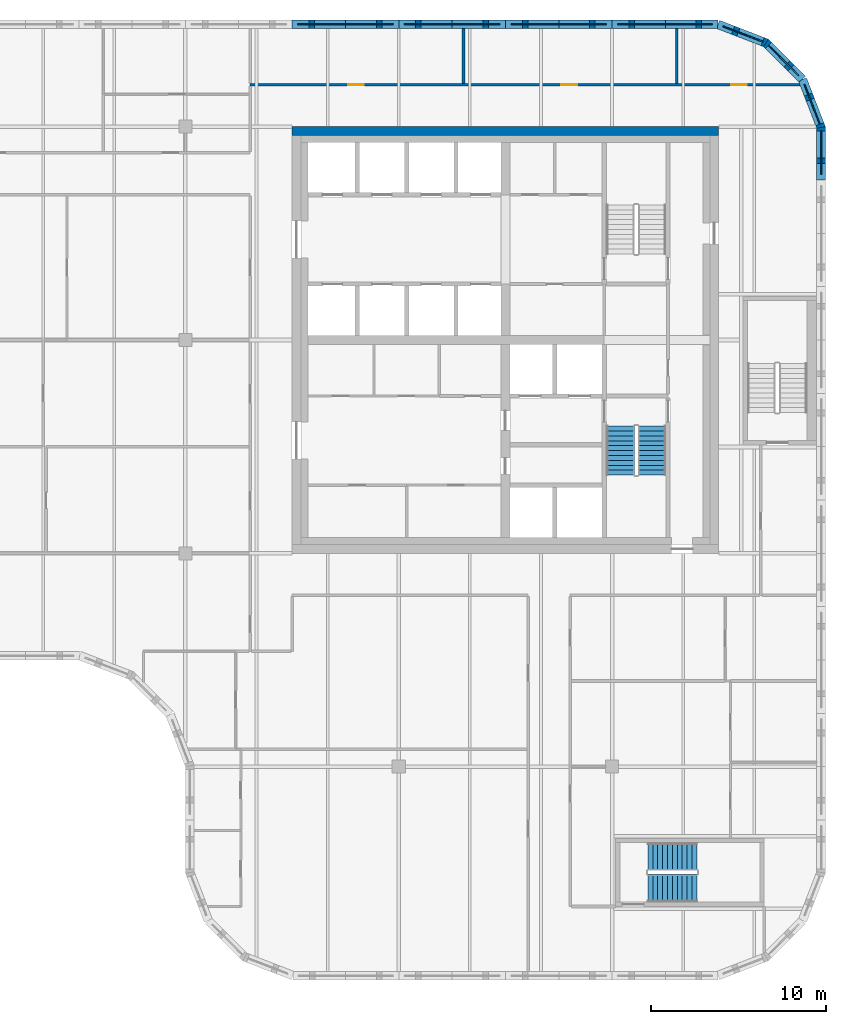
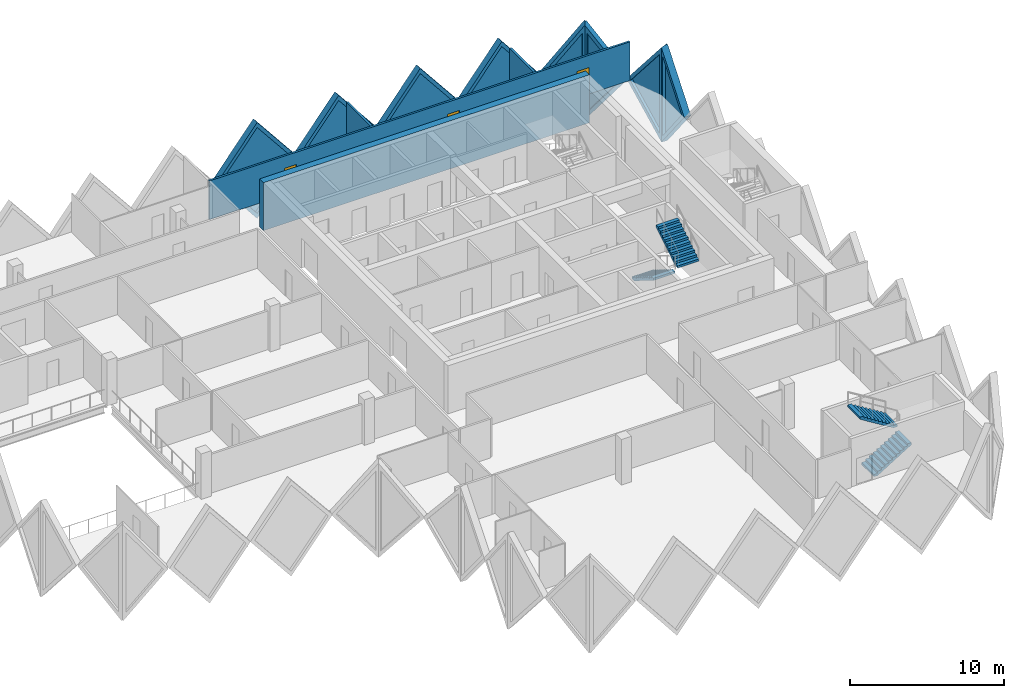
# One storey, part 10 of 12: 12 walls, 8 plates, 4 stair flights, 3 doors, 11 openings, 2 elements without a shape of their own.
"""IFC4 building model written with IfcOpenShell, lengths in metres."""

from ifc_helpers import new_model, si_unit, direction, frame, frame_2d, origin, place, context, subcontext, project, spatial, polyline, rectangle, outline, extrude, faceted_brep, source, transform, mapped, material, layer, layer_set, type_object, element, fill, aggregate, save


model = new_model("IFC4")

# Units and contexts
model_context = context("Model", 3, precision=1e-05, world=origin(), true_north=direction((0.0, 1.0)))
body_context = subcontext(model_context, "Body", "Model", "MODEL_VIEW")
ifc_project = project(units=[si_unit("LENGTHUNIT", "METRE"), si_unit("AREAUNIT", "SQUARE_METRE"), si_unit("VOLUMEUNIT", "CUBIC_METRE"), si_unit("PLANEANGLEUNIT", "RADIAN"), si_unit("MASSUNIT", "GRAM", prefix="KILO")], contexts=[model_context])

# Site, building, storey
site_placement = place(None, origin())
site = spatial("IfcSite", under=ifc_project, at=site_placement, CompositionType="ELEMENT")
building_placement = place(site_placement, origin())
building = spatial("IfcBuilding", under=site, at=building_placement, Name="Tessera Gate Towers", CompositionType="ELEMENT")
storey_placement = place(building_placement, frame((0.0, 0.0, 216.89990234375)))
storey = spatial("IfcBuildingStorey", under=building, at=storey_placement, Name="L54", CompositionType="ELEMENT", Elevation=216.89990234375)

# Wall
ifc_material_1 = material(Name="Concrete C50/60", Category="concrete")
ifc_layer_1 = layer(ifc_material_1, 0.5)
ifc_layer_set_1 = layer_set([ifc_layer_1], Name="CORE SHEAR WALL 500 C50/60")
wall_type_1 = type_object("IfcWallType", Name="CORE SHEAR WALL 500 C50/60", PredefinedType="SHEAR", material=ifc_layer_set_1)
wall_1_placement = place(storey_placement, frame((30.5, 48.550048828125, 0.0), z_axis=(0.0, 0.0, 1.0), x_axis=(1.0, 0.0, 0.0)))
element("IfcWall", 1, at=wall_1_placement, inside=storey, type_object=wall_type_1, Name="Core wall N L54", PredefinedType="SHEAR", context=body_context, shape_type="SweptSolid", body=[
    extrude(rectangle(XDim=24.39990234375, YDim=0.5, at=frame_2d((12.199951171875, 0.0))), origin(), (0.0, 0.0, 1.0), 3.800048828125),
])

# Wall, openings, doors
ifc_material_2 = material(Name="Gypsum board on steel studs, mineral wool", Category="steel")
ifc_layer_2 = layer(ifc_material_2, 0.14990234375)
ifc_layer_set_2 = layer_set([ifc_layer_2], Name="CORRIDOR WALL 150")
wall_type_2 = type_object("IfcWallType", Name="CORRIDOR WALL 150", PredefinedType="PARTITIONING", material=ifc_layer_set_2)
wall_2_placement = place(storey_placement, frame((28.10009765625, 51.199951171875, 0.0), z_axis=(0.0, 0.0, 1.0), x_axis=(1.0, 0.0, 0.0)))
wall_2 = element("IfcWall", 2, at=wall_2_placement, inside=storey, type_object=wall_type_2, Name="T1-L54-PW-053", PredefinedType="PARTITIONING", context=body_context, shape_type="SweptSolid", body=[
    extrude(rectangle(XDim=31.438232421875, YDim=0.14990234375, at=frame_2d((15.71923828125, 0.0))), origin(), (0.0, 0.0, 1.0), 3.067138671875),
])
shared_shape_1 = source(origin(), body_context, "Body", "SweptSolid", [
    extrude(rectangle(XDim=0.89990234375, YDim=2.10009765625, at=frame_2d((0.449951171875, 1.050048828125))), frame((0.0, 0.0849609375, 0.0), z_axis=(0.0, -1.0, 0.0), x_axis=(1.0, 0.0, 0.0)), (0.0, 0.0, 1.0), 0.169921875),
])
opening_1_placement = place(wall_2_placement, frame((27.5009765625, 0.0, 0.0)))
opening_1 = element("IfcOpeningElement", 3, at=opening_1_placement, cuts=wall_2, Name="Opening D890FD60-A19-03", PredefinedType="OPENING", context=body_context, shape_type="MappedRepresentation", body=[
    mapped(shared_shape_1, transform((0.0, 0.0, 0.0), scale=1.0)),
])
opening_2_placement = place(wall_2_placement, frame((5.60009765625, 0.0, 0.0)))
opening_2 = element("IfcOpeningElement", 4, at=opening_2_placement, cuts=wall_2, Name="Opening D890FD60-A19-09", PredefinedType="OPENING", context=body_context, shape_type="MappedRepresentation", body=[
    mapped(shared_shape_1, transform((0.0, 0.0, 0.0), scale=1.0)),
])
opening_3_placement = place(wall_2_placement, frame((17.800048828125, 0.0, 0.0)))
opening_3 = element("IfcOpeningElement", 5, at=opening_3_placement, cuts=wall_2, Name="Opening D890FD60-A19-10", PredefinedType="OPENING", context=body_context, shape_type="MappedRepresentation", body=[
    mapped(shared_shape_1, transform((0.0, 0.0, 0.0), scale=1.0)),
])
ifc_material_3 = material(Name="Timber door leaf in steel frame", Category="steel")
door_type = type_object("IfcDoorType", Name="CORRIDOR DOOR 900 FD60", OperationType="NOTDEFINED", PredefinedType="DOOR", material=ifc_material_3)
shared_shape_2 = source(origin(), body_context, "Body", "SweptSolid", [
    extrude(rectangle(XDim=0.89990234375, YDim=2.10009765625, at=frame_2d((0.449951171875, 1.050048828125))), frame((0.0, 0.02490234375, 0.0), z_axis=(0.0, -1.0, 0.0), x_axis=(1.0, 0.0, 0.0)), (0.0, 0.0, 1.0), 0.050048828125),
])
door_1_placement = place(opening_1_placement, origin())
door_1 = element("IfcDoor", 6, at=door_1_placement, inside=storey, type_object=door_type, Name="T1-L54-PD-016", OperationType="SINGLE_SWING_LEFT", OverallHeight=2.10009765625, OverallWidth=0.89990234375, PredefinedType="DOOR", context=body_context, shape_type="MappedRepresentation", body=[
    mapped(shared_shape_2, transform((0.0, 0.0, 0.0), scale=1.0)),
])
fill(opening_1, door_1)
door_2_placement = place(opening_2_placement, origin())
door_2 = element("IfcDoor", 7, at=door_2_placement, inside=storey, type_object=door_type, Name="T1-L54-PD-024", OperationType="SINGLE_SWING_LEFT", OverallHeight=2.10009765625, OverallWidth=0.89990234375, PredefinedType="DOOR", context=body_context, shape_type="MappedRepresentation", body=[
    mapped(shared_shape_2, transform((0.0, 0.0, 0.0), scale=1.0)),
])
fill(opening_2, door_2)
door_3_placement = place(opening_3_placement, origin())
door_3 = element("IfcDoor", 8, at=door_3_placement, inside=storey, type_object=door_type, Name="T1-L54-PD-026", OperationType="SINGLE_SWING_LEFT", OverallHeight=2.10009765625, OverallWidth=0.89990234375, PredefinedType="DOOR", context=body_context, shape_type="MappedRepresentation", body=[
    mapped(shared_shape_2, transform((0.0, 0.0, 0.0), scale=1.0)),
])
fill(opening_3, door_3)

# Walls
ifc_material_4 = material(Name="Gypsum board on steel studs, mineral wool", Category="steel")
ifc_layer_3 = layer(ifc_material_4, 0.14990234375)
ifc_layer_set_3 = layer_set([ifc_layer_3], Name="TENANCY WALL 150")
wall_type_3 = type_object("IfcWallType", Name="TENANCY WALL 150", PredefinedType="PARTITIONING", material=ifc_layer_set_3)
for number, where, z_axis, x_axis, name in (
    (9, (40.300048828125, 51.27587890625, 0.0), (0.0, 0.0, 1.0), (0.0, 1.0, 0.0), "T1-L54-PW-055"),
    (10, (52.5, 51.27587890625, 0.0), (0.0, 0.0, 1.0), (0.0, 1.0, 0.0), "T1-L54-PW-056"),
):
    element("IfcWall", number, at=place(storey_placement, frame(where, z_axis=z_axis, x_axis=x_axis)), inside=storey, type_object=wall_type_3, Name=name, PredefinedType="PARTITIONING", context=body_context, shape_type="SweptSolid", body=[
        extrude(rectangle(XDim=3.1240234375, YDim=0.14990234375, at=frame_2d((1.56201171875, 0.0))), origin(), (0.0, 0.0, 1.0), 3.067138671875),
    ])

# Wall, opening, plate
ifc_material_5 = material(Name="Precast concrete C60/75 white", Category="concrete")
ifc_layer_4 = layer(ifc_material_5, 0.5)
ifc_layer_set_4 = layer_set([ifc_layer_4], Name="TS1 tessera")
wall_type_4 = type_object("IfcWallType", Name="TS1 tessera", PredefinedType="SOLIDWALL", material=ifc_layer_set_4)
shared_shape_3 = source(origin(), body_context, "Body", "Brep", [
    faceted_brep([(3.050048828125, -0.25, 0.0), (6.099853515625, -0.25, 3.799560546875), (6.099853515625, -0.25, 3.800048828125), (3.050048828125, -0.25, 7.599853515625), (0.0, -0.25, 3.7998046875), (0.0, 0.25, 3.7998046875), (3.050048828125, 0.25, 7.599853515625), (6.099853515625, 0.25, 3.800048828125), (6.099853515625, 0.25, 3.799560546875), (3.050048828125, 0.25, 0.0)], [[[0, 1, 2, 3, 4]], [[5, 6, 7, 8, 9]], [[9, 8, 1, 0]], [[7, 6, 3, 2]], [[6, 5, 4, 3]], [[5, 9, 0, 4]], [[1, 8, 7, 2]]]),
])
wall_3_placement = place(storey_placement, frame((42.699951171875, 54.64990234375, -3.7998046875), z_axis=(0.0, 0.0, 1.0), x_axis=(-1.0, 0.0, 0.0)))
wall_3 = element("IfcWall", 11, at=wall_3_placement, inside=storey, type_object=wall_type_4, Name="Precast tessera T1 TS1-0955", PredefinedType="SOLIDWALL", context=body_context, shape_type="MappedRepresentation", body=[
    mapped(shared_shape_3, transform((0.0, 0.0, 0.0), scale=1.0)),
])
shared_shape_4 = source(origin(), body_context, "Body", "SweptSolid", [
    extrude(outline(polyline([(3.050048828125, 0.3994140625), (5.779541015625, 3.7998046875), (3.050048828125, 7.200439453125), (0.320556640625, 3.7998046875), (3.050048828125, 0.3994140625)])), frame((0.0, 0.260009765625, 0.0), z_axis=(0.0, -1.0, 0.0), x_axis=(1.0, 0.0, 0.0)), (0.0, 0.0, 1.0), 0.52001953125),
])
opening_4_placement = place(wall_3_placement, origin())
opening_4 = element("IfcOpeningElement", 12, at=opening_4_placement, cuts=wall_3, Name="Opening T1-PL2-1947", PredefinedType="OPENING", context=body_context, shape_type="MappedRepresentation", body=[
    mapped(shared_shape_4, transform((0.0, 0.0, 0.0), scale=1.0)),
])
ifc_material_6 = material(Name="Low-e laminated glass", Category="glass")
ifc_layer_5 = layer(ifc_material_6, 0.06005859375)
ifc_layer_set_5 = layer_set([ifc_layer_5], Name="PL2 rhombic pane")
plate_type = type_object("IfcPlateType", Name="PL2 rhombic pane", PredefinedType="SHEET", material=ifc_layer_set_5)
shared_shape_5 = source(origin(), body_context, "Body", "SweptSolid", [
    extrude(outline(polyline([(3.050048828125, 0.3994140625), (5.779541015625, 3.7998046875), (3.050048828125, 7.200439453125), (0.320556640625, 3.7998046875), (3.050048828125, 0.3994140625)])), frame((0.0, 0.030029296875, 0.0), z_axis=(0.0, -1.0, 0.0), x_axis=(1.0, 0.0, 0.0)), (0.0, 0.0, 1.0), 0.06005859375),
])
plate_1_placement = place(opening_4_placement, origin())
plate_1 = element("IfcPlate", 13, at=plate_1_placement, inside=storey, type_object=plate_type, Name="Glass pane T1 PL2-1947", PredefinedType="SHEET", context=body_context, shape_type="MappedRepresentation", body=[
    mapped(shared_shape_5, transform((0.0, 0.0, 0.0), scale=1.0)),
])
fill(opening_4, plate_1)

shared_shape_6 = source(origin(), body_context, "Body", "SweptSolid", [
    extrude(outline(polyline([(3.050048828125, 0.0), (6.10009765625, 3.7998046875), (3.050048828125, 7.599853515625), (0.0, 3.7998046875), (3.050048828125, 0.0)])), frame((0.0, 0.25, 0.0), z_axis=(0.0, -1.0, 0.0), x_axis=(1.0, 0.0, 0.0)), (0.0, 0.0, 1.0), 0.5),
])
wall_4_placement = place(storey_placement, frame((48.800048828125, 54.64990234375, -3.7998046875), z_axis=(0.0, 0.0, 1.0), x_axis=(-1.0, 0.0, 0.0)))
wall_4 = element("IfcWall", 14, at=wall_4_placement, inside=storey, type_object=wall_type_4, Name="Precast tessera T1 TS1-0954", PredefinedType="SOLIDWALL", context=body_context, shape_type="MappedRepresentation", body=[
    mapped(shared_shape_6, transform((0.0, 0.0, 0.0), scale=1.0)),
])
opening_5_placement = place(wall_4_placement, origin())
opening_5 = element("IfcOpeningElement", 15, at=opening_5_placement, cuts=wall_4, Name="Opening T1-PL2-1946", PredefinedType="OPENING", context=body_context, shape_type="MappedRepresentation", body=[
    mapped(shared_shape_4, transform((0.0, 0.0, 0.0), scale=1.0)),
])
plate_2_placement = place(opening_5_placement, origin())
plate_2 = element("IfcPlate", 16, at=plate_2_placement, inside=storey, type_object=plate_type, Name="Glass pane T1 PL2-1946", PredefinedType="SHEET", context=body_context, shape_type="MappedRepresentation", body=[
    mapped(shared_shape_5, transform((0.0, 0.0, 0.0), scale=1.0)),
])
fill(opening_5, plate_2)

wall_5_placement = place(storey_placement, frame((36.60009765625, 54.64990234375, -3.7998046875), z_axis=(0.0, 0.0, 1.0), x_axis=(-1.0, 0.0, 0.0)))
wall_5 = element("IfcWall", 17, at=wall_5_placement, inside=storey, type_object=wall_type_4, Name="Precast tessera T1 TS1-0956", PredefinedType="SOLIDWALL", context=body_context, shape_type="MappedRepresentation", body=[
    mapped(shared_shape_6, transform((0.0, 0.0, 0.0), scale=1.0)),
])
opening_6_placement = place(wall_5_placement, origin())
opening_6 = element("IfcOpeningElement", 18, at=opening_6_placement, cuts=wall_5, Name="Opening T1-PL2-1948", PredefinedType="OPENING", context=body_context, shape_type="MappedRepresentation", body=[
    mapped(shared_shape_4, transform((0.0, 0.0, 0.0), scale=1.0)),
])
plate_3_placement = place(opening_6_placement, origin())
plate_3 = element("IfcPlate", 19, at=plate_3_placement, inside=storey, type_object=plate_type, Name="Glass pane T1 PL2-1948", PredefinedType="SHEET", context=body_context, shape_type="MappedRepresentation", body=[
    mapped(shared_shape_5, transform((0.0, 0.0, 0.0), scale=1.0)),
])
fill(opening_6, plate_3)

ifc_material_7 = material(Name="Precast concrete C60/75 white", Category="concrete")
ifc_layer_6 = layer(ifc_material_7, 0.5)
ifc_layer_set_6 = layer_set([ifc_layer_6], Name="TS3 corner tessera")
wall_type_5 = type_object("IfcWallType", Name="TS3 corner tessera", PredefinedType="SOLIDWALL", material=ifc_layer_set_6)
shared_shape_7 = source(origin(), body_context, "Body", "Brep", [
    faceted_brep([(3.00341796875, -0.25, 0.0), (3.050048828125, -0.25, 0.06005859375), (3.050048828125, -0.25, 7.539794921875), (3.00341796875, -0.25, 7.599853515625), (0.0, -0.25, 3.7998046875), (0.0, 0.25, 3.7998046875), (2.956787109375, 0.25, 7.541015625), (2.956787109375, 0.25, 0.058837890625), (3.00341796875, 0.000244140625, 0.0), (3.00341796875, 0.000244140625, 7.599853515625)], [[[0, 1, 2, 3, 4]], [[5, 6, 7]], [[1, 0, 8]], [[9, 3, 2]], [[6, 5, 4, 3, 9]], [[5, 7, 8, 0, 4]], [[1, 8, 7, 6, 9, 2]]]),
])
wall_6_placement = place(storey_placement, frame((60.75, 45.75, -3.7998046875), z_axis=(0.0, 0.0, 1.0), x_axis=(0.0, 1.0, 0.0)))
wall_6 = element("IfcWall", 20, at=wall_6_placement, inside=storey, type_object=wall_type_5, Name="Precast corner tessera T1 TS3-1253", PredefinedType="SOLIDWALL", context=body_context, shape_type="MappedRepresentation", body=[
    mapped(shared_shape_7, transform((0.0, 0.0, 0.0), scale=1.0)),
])
shared_shape_8 = source(origin(), body_context, "Body", "SweptSolid", [
    extrude(outline(polyline([(2.803466796875, 6.943603515625), (0.318603515625, 3.7998046875), (2.803466796875, 0.656005859375), (2.803466796875, 6.943603515625)])), frame((0.0, 0.260009765625, 0.0), z_axis=(0.0, -1.0, 0.0), x_axis=(1.0, 0.0, 0.0)), (0.0, 0.0, 1.0), 0.52001953125),
])
opening_7_placement = place(wall_6_placement, origin())
opening_7 = element("IfcOpeningElement", 21, at=opening_7_placement, cuts=wall_6, Name="Opening T1-PL2-1941", PredefinedType="OPENING", context=body_context, shape_type="MappedRepresentation", body=[
    mapped(shared_shape_8, transform((0.0, 0.0, 0.0), scale=1.0)),
])
shared_shape_9 = source(origin(), body_context, "Body", "SweptSolid", [
    extrude(outline(polyline([(2.803466796875, 6.943603515625), (0.318603515625, 3.7998046875), (2.803466796875, 0.656005859375), (2.803466796875, 6.943603515625)])), frame((0.0, 0.030029296875, 0.0), z_axis=(0.0, -1.0, 0.0), x_axis=(1.0, 0.0, 0.0)), (0.0, 0.0, 1.0), 0.06005859375),
])
plate_4_placement = place(opening_7_placement, origin())
plate_4 = element("IfcPlate", 22, at=plate_4_placement, inside=storey, type_object=plate_type, Name="Glass pane T1 PL2-1941", PredefinedType="SHEET", context=body_context, shape_type="MappedRepresentation", body=[
    mapped(shared_shape_9, transform((0.0, 0.0, 0.0), scale=1.0)),
])
fill(opening_7, plate_4)

shared_shape_10 = source(origin(), body_context, "Body", "Brep", [
    faceted_brep([(0.046630859375, -0.25, 0.0), (2.9970703125, -0.25, 3.7998046875), (0.046630859375, -0.25, 7.599853515625), (0.0, -0.25, 7.541015625), (0.0, -0.25, 0.058837890625), (0.09326171875, 0.25, 7.539794921875), (2.9443359375, 0.25, 3.867919921875), (2.9443359375, 0.25, 3.731689453125), (0.09326171875, 0.25, 0.06005859375), (2.9970703125, 0.00048828125, 3.7998046875), (0.046630859375, 0.0, 0.0), (0.046630859375, 0.0, 7.599853515625)], [[[0, 1, 2, 3, 4]], [[5, 6, 7, 8]], [[8, 7, 9, 1, 0, 10]], [[6, 5, 11, 2, 1, 9]], [[3, 2, 11]], [[10, 0, 4]], [[8, 10, 4, 3, 11, 5]], [[9, 7, 6]]]),
])
wall_7_placement = place(storey_placement, frame((60.766845703125, 48.7099609375, -3.7998046875), z_axis=(0.0, 0.0, 1.0), x_axis=(-0.359901446078, 0.932990326376, 0.0)))
wall_7 = element("IfcWall", 23, at=wall_7_placement, inside=storey, type_object=wall_type_5, Name="Precast corner tessera T1 TS3-1254", PredefinedType="SOLIDWALL", context=body_context, shape_type="MappedRepresentation", body=[
    mapped(shared_shape_10, transform((0.0, 0.0, 0.0), scale=1.0)),
])
shared_shape_11 = source(origin(), body_context, "Body", "SweptSolid", [
    extrude(outline(polyline([(0.24658203125, 0.6650390625), (2.6806640625, 3.7998046875), (0.24658203125, 6.9345703125), (0.24658203125, 0.6650390625)])), frame((0.0, 0.260009765625, 0.0), z_axis=(0.0, -1.0, 0.0), x_axis=(1.0, 0.0, 0.0)), (0.0, 0.0, 1.0), 0.52001953125),
])
opening_8_placement = place(wall_7_placement, origin())
opening_8 = element("IfcOpeningElement", 24, at=opening_8_placement, cuts=wall_7, Name="Opening T1-PL2-1942", PredefinedType="OPENING", context=body_context, shape_type="MappedRepresentation", body=[
    mapped(shared_shape_11, transform((0.0, 0.0, 0.0), scale=1.0)),
])
shared_shape_12 = source(origin(), body_context, "Body", "SweptSolid", [
    extrude(outline(polyline([(0.24658203125, 0.6650390625), (2.6806640625, 3.7998046875), (0.24658203125, 6.9345703125), (0.24658203125, 0.6650390625)])), frame((0.0, 0.030029296875, 0.0), z_axis=(0.0, -1.0, 0.0), x_axis=(1.0, 0.0, 0.0)), (0.0, 0.0, 1.0), 0.06005859375),
])
plate_5_placement = place(opening_8_placement, origin())
plate_5 = element("IfcPlate", 25, at=plate_5_placement, inside=storey, type_object=plate_type, Name="Glass pane T1 PL2-1942", PredefinedType="SHEET", context=body_context, shape_type="MappedRepresentation", body=[
    mapped(shared_shape_12, transform((0.0, 0.0, 0.0), scale=1.0)),
])
fill(opening_8, plate_5)

shared_shape_13 = source(origin(), body_context, "Body", "Brep", [
    faceted_brep([(3.00341796875, -0.25, 0.0), (6.053466796875, -0.25, 3.7998046875), (3.00341796875, -0.25, 7.599853515625), (0.0, -0.25, 3.7998046875), (0.046630859375, 0.25, 3.858642578125), (3.00341796875, 0.25, 7.599853515625), (6.053466796875, 0.25, 3.7998046875), (3.00341796875, 0.25, 0.0), (0.046630859375, 0.25, 3.740966796875), (0.0, 0.0, 3.7998046875)], [[[0, 1, 2, 3]], [[4, 5, 6, 7, 8]], [[7, 6, 1, 0]], [[6, 5, 2, 1]], [[5, 4, 9, 3, 2]], [[8, 7, 0, 3, 9]], [[8, 9, 4]]]),
])
wall_8_placement = place(storey_placement, frame((54.853515625, 54.64990234375, -3.7998046875), z_axis=(0.0, 0.0, 1.0), x_axis=(-1.0, 0.0, 0.0)))
wall_8 = element("IfcWall", 26, at=wall_8_placement, inside=storey, type_object=wall_type_4, Name="Precast tessera T1 TS1-0953", PredefinedType="SOLIDWALL", context=body_context, shape_type="MappedRepresentation", body=[
    mapped(shared_shape_13, transform((0.0, 0.0, 0.0), scale=1.0)),
])
shared_shape_14 = source(origin(), body_context, "Body", "SweptSolid", [
    extrude(outline(polyline([(3.0048828125, 0.401123046875), (5.73291015625, 3.7998046875), (3.0048828125, 7.19873046875), (0.318603515625, 3.7998046875), (3.0048828125, 0.401123046875)])), frame((0.0, 0.260009765625, 0.0), z_axis=(0.0, -1.0, 0.0), x_axis=(1.0, 0.0, 0.0)), (0.0, 0.0, 1.0), 0.52001953125),
])
opening_9_placement = place(wall_8_placement, origin())
opening_9 = element("IfcOpeningElement", 27, at=opening_9_placement, cuts=wall_8, Name="Opening T1-PL2-1945", PredefinedType="OPENING", context=body_context, shape_type="MappedRepresentation", body=[
    mapped(shared_shape_14, transform((0.0, 0.0, 0.0), scale=1.0)),
])
shared_shape_15 = source(origin(), body_context, "Body", "SweptSolid", [
    extrude(outline(polyline([(3.0048828125, 0.401123046875), (5.73291015625, 3.7998046875), (3.0048828125, 7.19873046875), (0.318603515625, 3.7998046875), (3.0048828125, 0.401123046875)])), frame((0.0, 0.030029296875, 0.0), z_axis=(0.0, -1.0, 0.0), x_axis=(1.0, 0.0, 0.0)), (0.0, 0.0, 1.0), 0.06005859375),
])
plate_6_placement = place(opening_9_placement, origin())
plate_6 = element("IfcPlate", 28, at=plate_6_placement, inside=storey, type_object=plate_type, Name="Glass pane T1 PL2-1945", PredefinedType="SHEET", context=body_context, shape_type="MappedRepresentation", body=[
    mapped(shared_shape_15, transform((0.0, 0.0, 0.0), scale=1.0)),
])
fill(opening_9, plate_6)

shared_shape_16 = source(origin(), body_context, "Body", "Brep", [
    faceted_brep([(2.944091796875, -0.25, 0.0), (2.9970703125, -0.25, 0.068115234375), (2.9970703125, -0.25, 7.53173828125), (2.944091796875, -0.25, 7.599853515625), (0.0, -0.25, 3.7998046875), (0.052978515625, 0.25, 3.8681640625), (2.89111328125, 0.25, 7.53173828125), (2.89111328125, 0.25, 0.068115234375), (0.052978515625, 0.25, 3.7314453125), (2.944091796875, 0.000244140625, 0.0), (2.944091796875, 0.000244140625, 7.599853515625), (0.0, 0.0, 3.7998046875)], [[[0, 1, 2, 3, 4]], [[5, 6, 7, 8]], [[1, 0, 9]], [[10, 3, 2]], [[6, 5, 11, 4, 3, 10]], [[8, 7, 9, 0, 4, 11]], [[8, 11, 5]], [[1, 9, 7, 6, 10, 2]]]),
])
wall_9_placement = place(storey_placement, frame((59.68798828125, 51.50634765625, -3.7998046875), z_axis=(0.0, 0.0, 1.0), x_axis=(-0.707106781187, 0.707106781187, 0.0)))
wall_9 = element("IfcWall", 29, at=wall_9_placement, inside=storey, type_object=wall_type_5, Name="Precast corner tessera T1 TS3-1255", PredefinedType="SOLIDWALL", context=body_context, shape_type="MappedRepresentation", body=[
    mapped(shared_shape_16, transform((0.0, 0.0, 0.0), scale=1.0)),
])
shared_shape_17 = source(origin(), body_context, "Body", "SweptSolid", [
    extrude(outline(polyline([(2.744140625, 6.93359375), (0.316162109375, 3.7998046875), (2.744140625, 0.666259765625), (2.744140625, 6.93359375)])), frame((0.0, 0.260009765625, 0.0), z_axis=(0.0, -1.0, 0.0), x_axis=(1.0, 0.0, 0.0)), (0.0, 0.0, 1.0), 0.52001953125),
])
opening_10_placement = place(wall_9_placement, origin())
opening_10 = element("IfcOpeningElement", 30, at=opening_10_placement, cuts=wall_9, Name="Opening T1-PL2-1943", PredefinedType="OPENING", context=body_context, shape_type="MappedRepresentation", body=[
    mapped(shared_shape_17, transform((0.0, 0.0, 0.0), scale=1.0)),
])
shared_shape_18 = source(origin(), body_context, "Body", "SweptSolid", [
    extrude(outline(polyline([(2.744140625, 6.93359375), (0.316162109375, 3.7998046875), (2.744140625, 0.666259765625), (2.744140625, 6.93359375)])), frame((0.0, 0.030029296875, 0.0), z_axis=(0.0, -1.0, 0.0), x_axis=(1.0, 0.0, 0.0)), (0.0, 0.0, 1.0), 0.06005859375),
])
plate_7_placement = place(opening_10_placement, origin())
plate_7 = element("IfcPlate", 31, at=plate_7_placement, inside=storey, type_object=plate_type, Name="Glass pane T1 PL2-1943", PredefinedType="SHEET", context=body_context, shape_type="MappedRepresentation", body=[
    mapped(shared_shape_18, transform((0.0, 0.0, 0.0), scale=1.0)),
])
fill(opening_10, plate_7)

shared_shape_19 = source(origin(), body_context, "Body", "Brep", [
    faceted_brep([(0.052978515625, -0.25, 0.0), (3.00341796875, -0.25, 3.7998046875), (0.052978515625, -0.25, 7.599853515625), (0.0, -0.25, 7.531494140625), (0.0, -0.25, 0.068359375), (0.10595703125, 0.25, 7.53173828125), (2.95703125, 0.25, 3.859619140625), (2.95703125, 0.25, 3.739990234375), (0.10595703125, 0.25, 0.068115234375), (3.00341796875, 0.00048828125, 3.7998046875), (0.052978515625, 0.0, 0.0), (0.052978515625, 0.0, 7.599853515625)], [[[0, 1, 2, 3, 4]], [[5, 6, 7, 8]], [[8, 7, 9, 1, 0, 10]], [[6, 5, 11, 2, 1, 9]], [[3, 2, 11]], [[10, 0, 4]], [[8, 10, 4, 3, 11, 5]], [[9, 7, 6]]]),
])
wall_10_placement = place(storey_placement, frame((57.65576171875, 53.569091796875, -3.7998046875), z_axis=(0.0, 0.0, 1.0), x_axis=(-0.933007896601, 0.359855894603, 0.0)))
wall_10 = element("IfcWall", 32, at=wall_10_placement, inside=storey, type_object=wall_type_5, Name="Precast corner tessera T1 TS3-1256", PredefinedType="SOLIDWALL", context=body_context, shape_type="MappedRepresentation", body=[
    mapped(shared_shape_19, transform((0.0, 0.0, 0.0), scale=1.0)),
])
shared_shape_20 = source(origin(), body_context, "Body", "SweptSolid", [
    extrude(outline(polyline([(0.2529296875, 0.6650390625), (2.68701171875, 3.7998046875), (0.2529296875, 6.9345703125), (0.2529296875, 0.6650390625)])), frame((0.0, 0.260009765625, 0.0), z_axis=(0.0, -1.0, 0.0), x_axis=(1.0, 0.0, 0.0)), (0.0, 0.0, 1.0), 0.52001953125),
])
opening_11_placement = place(wall_10_placement, origin())
opening_11 = element("IfcOpeningElement", 33, at=opening_11_placement, cuts=wall_10, Name="Opening T1-PL2-1944", PredefinedType="OPENING", context=body_context, shape_type="MappedRepresentation", body=[
    mapped(shared_shape_20, transform((0.0, 0.0, 0.0), scale=1.0)),
])
shared_shape_21 = source(origin(), body_context, "Body", "SweptSolid", [
    extrude(outline(polyline([(0.2529296875, 0.6650390625), (2.68701171875, 3.7998046875), (0.2529296875, 6.9345703125), (0.2529296875, 0.6650390625)])), frame((0.0, 0.030029296875, 0.0), z_axis=(0.0, -1.0, 0.0), x_axis=(1.0, 0.0, 0.0)), (0.0, 0.0, 1.0), 0.06005859375),
])
plate_8_placement = place(opening_11_placement, origin())
plate_8 = element("IfcPlate", 34, at=plate_8_placement, inside=storey, type_object=plate_type, Name="Glass pane T1 PL2-1944", PredefinedType="SHEET", context=body_context, shape_type="MappedRepresentation", body=[
    mapped(shared_shape_21, transform((0.0, 0.0, 0.0), scale=1.0)),
])
fill(opening_11, plate_8)

# Stair, stair flights
ifc_material_8 = material(Name="Concrete C40/50", Category="concrete")
stair_type_1 = type_object("IfcStairType", Name="EXIT STAIR ST1 1600", PredefinedType="HALF_TURN_STAIR", material=ifc_material_8)
stair_1_placement = place(storey_placement, origin())
stair_1 = element("IfcStair", 35, at=stair_1_placement, inside=storey, type_object=stair_type_1, Name="L54 Protected Exit Stair ST1", PredefinedType="HALF_TURN_STAIR")
ifc_material_9 = material(Name="Concrete C40/50", Category="concrete")
stair_flight_type_1 = type_object("IfcStairFlightType", Name="EXIT STAIR FLIGHT ST1 1600", PredefinedType="STRAIGHT", material=ifc_material_9)
stair_flight_1_placement = place(storey_placement, frame((49.27490234375, 31.675048828125, 0.0), z_axis=(0.0, 0.0, 1.0), x_axis=(0.0, -1.0, 0.0)))
stair_flight_1 = element("IfcStairFlight", 36, at=stair_flight_1_placement, type_object=stair_flight_type_1, Name="ST1 flight 1", NumberOfRisers=11, NumberOfTreads=10, PredefinedType="STRAIGHT", RiserHeight=0.172727273, TreadLength=0.28, context=body_context, shape_type="SweptSolid", body=[
    extrude(outline(polyline([(0.0, 0.0), (0.0, 0.172607421875), (0.280029296875, 0.172607421875), (0.280029296875, 0.345458984375), (0.56005859375, 0.345458984375), (0.56005859375, 0.51806640625), (0.840087890625, 0.51806640625), (0.840087890625, 0.69091796875), (1.1201171875, 0.69091796875), (1.1201171875, 0.863525390625), (1.39990234375, 0.863525390625), (1.39990234375, 1.036376953125), (1.679931640625, 1.036376953125), (1.679931640625, 1.208984375), (1.9599609375, 1.208984375), (1.9599609375, 1.3818359375), (2.239990234375, 1.3818359375), (2.239990234375, 1.554443359375), (2.52001953125, 1.554443359375), (2.52001953125, 1.727294921875), (2.800048828125, 1.727294921875), (2.800048828125, 1.89990234375), (2.800048828125, 1.551025390625), (0.285400390625, 0.0), (0.0, 0.0)])), frame((0.0, 0.800048828125, 0.0), z_axis=(0.0, -1.0, 0.0), x_axis=(1.0, 0.0, 0.0)), (0.0, 0.0, 1.0), 1.60009765625),
])
stair_flight_2_placement = place(storey_placement, frame((51.074951171875, 28.875, 1.900146484375), z_axis=(0.0, 0.0, 1.0), x_axis=(0.0, 1.0, 0.0)))
stair_flight_2 = element("IfcStairFlight", 37, at=stair_flight_2_placement, type_object=stair_flight_type_1, Name="ST1 flight 2", NumberOfRisers=11, NumberOfTreads=10, PredefinedType="STRAIGHT", RiserHeight=0.172727273, TreadLength=0.28, context=body_context, shape_type="SweptSolid", body=[
    extrude(outline(polyline([(0.0, 0.0), (0.0, 0.172607421875), (0.280029296875, 0.172607421875), (0.280029296875, 0.345458984375), (0.56005859375, 0.345458984375), (0.56005859375, 0.51806640625), (0.840087890625, 0.51806640625), (0.840087890625, 0.69091796875), (1.1201171875, 0.69091796875), (1.1201171875, 0.863525390625), (1.39990234375, 0.863525390625), (1.39990234375, 1.036376953125), (1.679931640625, 1.036376953125), (1.679931640625, 1.208984375), (1.9599609375, 1.208984375), (1.9599609375, 1.3818359375), (2.239990234375, 1.3818359375), (2.239990234375, 1.554443359375), (2.52001953125, 1.554443359375), (2.52001953125, 1.727294921875), (2.800048828125, 1.727294921875), (2.800048828125, 1.89990234375), (2.800048828125, 1.551025390625), (0.285400390625, 0.0), (0.0, 0.0)])), frame((0.0, 0.800048828125, 0.0), z_axis=(0.0, -1.0, 0.0), x_axis=(1.0, 0.0, 0.0)), (0.0, 0.0, 1.0), 1.60009765625),
])
aggregate(stair_1, [stair_flight_1, stair_flight_2])

ifc_material_10 = material(Name="Concrete C40/50", Category="concrete")
stair_type_2 = type_object("IfcStairType", Name="EXIT STAIR ST4 1600", PredefinedType="HALF_TURN_STAIR", material=ifc_material_10)
stair_2_placement = place(storey_placement, origin())
stair_2 = element("IfcStair", 38, at=stair_2_placement, inside=storey, type_object=stair_type_2, Name="L54 South Exit Stair ST4", PredefinedType="HALF_TURN_STAIR")
ifc_material_11 = material(Name="Concrete C40/50", Category="concrete")
stair_flight_type_2 = type_object("IfcStairFlightType", Name="EXIT STAIR FLIGHT ST4 1600", PredefinedType="STRAIGHT", material=ifc_material_11)
stair_flight_3_placement = place(storey_placement, frame((50.85009765625, 5.25, 0.0), z_axis=(0.0, 0.0, 1.0), x_axis=(1.0, 0.0, 0.0)))
stair_flight_3 = element("IfcStairFlight", 39, at=stair_flight_3_placement, type_object=stair_flight_type_2, Name="ST4 flight 1", NumberOfRisers=11, NumberOfTreads=10, PredefinedType="STRAIGHT", RiserHeight=0.172727273, TreadLength=0.28, context=body_context, shape_type="SweptSolid", body=[
    extrude(outline(polyline([(0.0, 0.0), (0.0, 0.172607421875), (0.280029296875, 0.172607421875), (0.280029296875, 0.345458984375), (0.56005859375, 0.345458984375), (0.56005859375, 0.51806640625), (0.840087890625, 0.51806640625), (0.840087890625, 0.69091796875), (1.1201171875, 0.69091796875), (1.1201171875, 0.863525390625), (1.39990234375, 0.863525390625), (1.39990234375, 1.036376953125), (1.679931640625, 1.036376953125), (1.679931640625, 1.208984375), (1.9599609375, 1.208984375), (1.9599609375, 1.3818359375), (2.239990234375, 1.3818359375), (2.239990234375, 1.554443359375), (2.52001953125, 1.554443359375), (2.52001953125, 1.727294921875), (2.800048828125, 1.727294921875), (2.800048828125, 1.89990234375), (2.800048828125, 1.551025390625), (0.285400390625, 0.0), (0.0, 0.0)])), frame((0.0, 0.800048828125, 0.0), z_axis=(0.0, -1.0, 0.0), x_axis=(1.0, 0.0, 0.0)), (0.0, 0.0, 1.0), 1.60009765625),
])
stair_flight_4_placement = place(storey_placement, frame((53.64990234375, 7.050048828125, 1.900146484375), z_axis=(0.0, 0.0, 1.0), x_axis=(-1.0, 0.0, 0.0)))
stair_flight_4 = element("IfcStairFlight", 40, at=stair_flight_4_placement, type_object=stair_flight_type_2, Name="ST4 flight 2", NumberOfRisers=11, NumberOfTreads=10, PredefinedType="STRAIGHT", RiserHeight=0.172727273, TreadLength=0.28, context=body_context, shape_type="SweptSolid", body=[
    extrude(outline(polyline([(0.0, 0.0), (0.0, 0.172607421875), (0.280029296875, 0.172607421875), (0.280029296875, 0.345458984375), (0.56005859375, 0.345458984375), (0.56005859375, 0.51806640625), (0.840087890625, 0.51806640625), (0.840087890625, 0.69091796875), (1.1201171875, 0.69091796875), (1.1201171875, 0.863525390625), (1.39990234375, 0.863525390625), (1.39990234375, 1.036376953125), (1.679931640625, 1.036376953125), (1.679931640625, 1.208984375), (1.9599609375, 1.208984375), (1.9599609375, 1.3818359375), (2.239990234375, 1.3818359375), (2.239990234375, 1.554443359375), (2.52001953125, 1.554443359375), (2.52001953125, 1.727294921875), (2.800048828125, 1.727294921875), (2.800048828125, 1.89990234375), (2.800048828125, 1.551025390625), (0.285400390625, 0.0), (0.0, 0.0)])), frame((0.0, 0.800048828125, 0.0), z_axis=(0.0, -1.0, 0.0), x_axis=(1.0, 0.0, 0.0)), (0.0, 0.0, 1.0), 1.60009765625),
])
aggregate(stair_2, [stair_flight_3, stair_flight_4])

save(model, "model.ifc")
